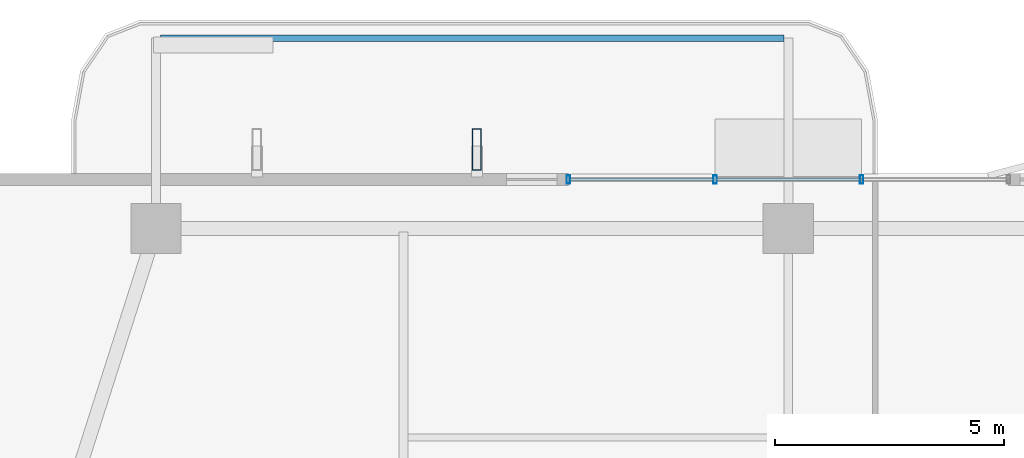
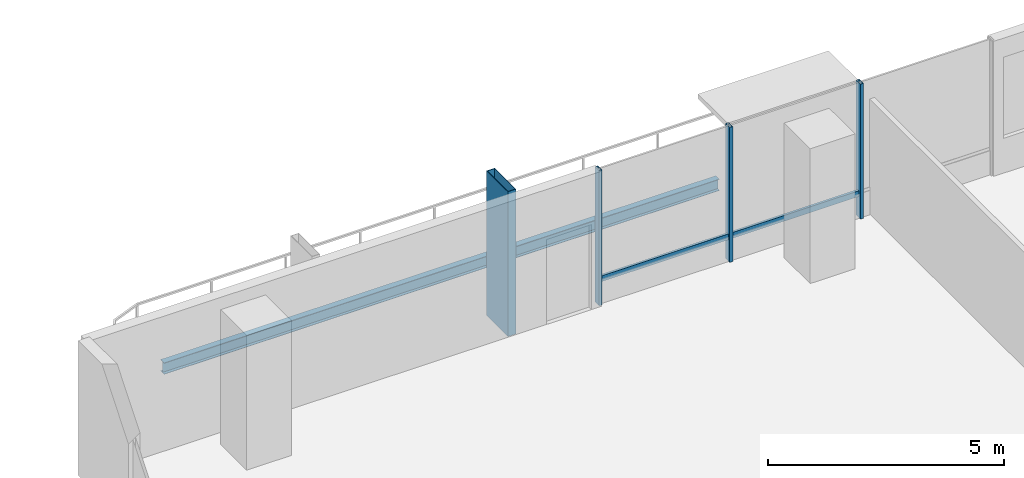
# One storey, part 13 of 25: 6 members, 1 beam, 1 element without a shape of its own.
"""IFC4 building model written with IfcOpenShell, lengths in metres."""

from ifc_helpers import new_model, si_unit, direction, frame, origin, origin_2d, place, context, subcontext, project, spatial, hollow_rectangle, i_section, extrude, material, layer, layer_set, material_profile, profile_set, type_object, element, aggregate, save


model = new_model("IFC4")

# Units and contexts
model_context = context("Model", 3, precision=1e-05, world=origin(), true_north=direction((0.0, 1.0)))
body_context = subcontext(model_context, "Body", "Model", "MODEL_VIEW")
ifc_project = project(units=[si_unit("LENGTHUNIT", "METRE"), si_unit("AREAUNIT", "SQUARE_METRE"), si_unit("VOLUMEUNIT", "CUBIC_METRE"), si_unit("PLANEANGLEUNIT", "RADIAN"), si_unit("MASSUNIT", "GRAM", prefix="KILO")], contexts=[model_context])

# Site, building, storey
site_placement = place(None, origin())
site = spatial("IfcSite", under=ifc_project, at=site_placement, CompositionType="ELEMENT")
building_placement = place(site_placement, origin())
building = spatial("IfcBuilding", under=site, at=building_placement, Name="Belovzor Exchange Tower", CompositionType="ELEMENT")
storey_placement = place(building_placement, frame((0.0, 0.0, 187.050048828125)))
storey = spatial("IfcBuildingStorey", under=building, at=storey_placement, Name="L46", CompositionType="ELEMENT", Elevation=187.050048828125)

# Beam
ifc_material_1 = material(Name="Steel S355", Category="steel")
ifc_material_profile_1 = material_profile(ifc_material_1, i_section(OverallWidth=0.14990234375, OverallDepth=0.300048828125, WebThickness=0.007080078125, FlangeThickness=0.0107421875, at=origin_2d()))
ifc_profile_set_1 = profile_set([ifc_material_profile_1], Name="Steel S355")
beam_type = type_object("IfcBeamType", Name="Planted Balcony Fascia Edge Beam IPE 300", PredefinedType="BEAM", material=ifc_profile_set_1)
beam_placement = place(storey_placement, frame((28.699951171875, 56.052978515625, -0.405029296875), z_axis=(-1.0, 0.0, 0.0), x_axis=(0.0, -1.0, 0.0)))
element("IfcBeam", 1, at=beam_placement, inside=storey, type_object=beam_type, Name="BC-300 Planted Balcony Fascia Edge Beam IPE 300", PredefinedType="BEAM", context=body_context, shape_type="SweptSolid", body=[
    extrude(i_section(OverallWidth=0.14990234375, OverallDepth=0.300048828125, WebThickness=0.007080078125, FlangeThickness=0.0107421875, at=origin_2d()), origin(), (0.0, 0.0, 1.0), 13.599853515625),
])

# Member
ifc_material_2 = material(Name="Extruded Architectural Terracotta on Steel S355 Carrier", Category="masonry")
ifc_material_profile_2 = material_profile(ifc_material_2, hollow_rectangle(XDim=0.199951171875, YDim=0.89990234375, WallThickness=0.011962890625, at=origin_2d()))
ifc_profile_set_2 = profile_set([ifc_material_profile_2], Name="Extruded Architectural Terracotta on Steel S355 Carrier")
member_type_1 = type_object("IfcMemberType", Name="Sweeping Terracotta Baguette Fin Assembly 1250", PredefinedType="USERDEFINED", material=ifc_profile_set_2)
member_1_placement = place(storey_placement, frame((22.0, 53.625, -0.255126953125), z_axis=(0.0, 0.0, 1.0), x_axis=(1.0, 0.0, 0.0)))
element("IfcMember", 2, at=member_1_placement, inside=storey, type_object=member_type_1, Name="FIN-TC125 Terracotta Facade Fin L46 N2", ObjectType="FIN", PredefinedType="USERDEFINED", context=body_context, shape_type="SweptSolid", body=[
    extrude(hollow_rectangle(XDim=0.199951171875, YDim=0.89990234375, WallThickness=0.011962890625, at=origin_2d()), origin(), (0.0, 0.0, 1.0), 3.75),
])

# Curtain wall, members
ifc_material_3 = material(Name="Anodised Aluminium Framing", Category="aluminium")
ifc_layer = layer(ifc_material_3, 0.179931640625)
ifc_layer_set = layer_set([ifc_layer], Name="Anodised Aluminium Framing")
curtain_wall_type = type_object("IfcCurtainWallType", Name="Recessed Loggia Low-Iron Triple-Glazed Curtain Wall", PredefinedType="NOTDEFINED", material=ifc_layer_set)
curtain_wall_placement = place(storey_placement, origin())
curtain_wall = element("IfcCurtainWall", 3, at=curtain_wall_placement, inside=storey, type_object=curtain_wall_type, Name="CW3 Recessed Loggia Low-Iron Triple-Glazed Curtain Wall L46", PredefinedType="NOTDEFINED")
ifc_material_4 = material(Name="Steel S355", Category="steel")
ifc_material_profile_3 = material_profile(ifc_material_4, hollow_rectangle(XDim=0.074951171875, YDim=0.179931640625, WallThickness=0.0048828125, at=origin_2d()))
ifc_profile_set_3 = profile_set([ifc_material_profile_3], Name="Steel S355")
member_type_2 = type_object("IfcMemberType", Name="Thermally Broken Curtain Wall Mullion 180x75", PredefinedType="MULLION", material=ifc_profile_set_3)
member_2_placement = place(storey_placement, frame((24.0, 52.969970703125, 0.0), z_axis=(0.0, 0.0, 1.0), x_axis=(1.0, 0.0, 0.0)))
member_2 = element("IfcMember", 4, at=member_2_placement, type_object=member_type_2, Name="CW-M180 Curtain Wall Mullion 1", PredefinedType="MULLION", context=body_context, shape_type="SweptSolid", body=[
    extrude(hollow_rectangle(XDim=0.074951171875, YDim=0.179931640625, WallThickness=0.0048828125, at=origin_2d()), origin(), (0.0, 0.0, 1.0), 3.494873046875),
])
member_3_placement = place(storey_placement, frame((27.199951171875, 52.969970703125, 0.0), z_axis=(0.0, 0.0, 1.0), x_axis=(1.0, 0.0, 0.0)))
member_3 = element("IfcMember", 5, at=member_3_placement, type_object=member_type_2, Name="CW-M180 Curtain Wall Mullion 2", PredefinedType="MULLION", context=body_context, shape_type="SweptSolid", body=[
    extrude(hollow_rectangle(XDim=0.074951171875, YDim=0.179931640625, WallThickness=0.0048828125, at=origin_2d()), origin(), (0.0, 0.0, 1.0), 3.494873046875),
])
member_4_placement = place(storey_placement, frame((30.39990234375, 52.969970703125, 0.0), z_axis=(0.0, 0.0, 1.0), x_axis=(1.0, 0.0, 0.0)))
member_4 = element("IfcMember", 6, at=member_4_placement, type_object=member_type_2, Name="CW-M180 Curtain Wall Mullion 3", PredefinedType="MULLION", context=body_context, shape_type="SweptSolid", body=[
    extrude(hollow_rectangle(XDim=0.074951171875, YDim=0.179931640625, WallThickness=0.0048828125, at=origin_2d()), origin(), (0.0, 0.0, 1.0), 3.494873046875),
])
ifc_material_5 = material(Name="Steel S355", Category="steel")
ifc_material_profile_4 = material_profile(ifc_material_5, hollow_rectangle(XDim=0.06005859375, YDim=0.14990234375, WallThickness=0.00390625, at=origin_2d()))
ifc_profile_set_4 = profile_set([ifc_material_profile_4], Name="Steel S355")
member_type_3 = type_object("IfcMemberType", Name="Thermally Broken Curtain Wall Transom 150x60", PredefinedType="USERDEFINED", material=ifc_profile_set_4)
member_5_placement = place(storey_placement, frame((24.008056640625, 52.969970703125, 0.62890625), z_axis=(1.0, 0.0, 0.0), x_axis=(0.0, 1.0, 0.0)))
member_5 = element("IfcMember", 7, at=member_5_placement, type_object=member_type_3, Name="CW-T150 Curtain Wall Transom 1", ObjectType="TRANSOM", PredefinedType="USERDEFINED", context=body_context, shape_type="SweptSolid", body=[
    extrude(hollow_rectangle(XDim=0.06005859375, YDim=0.14990234375, WallThickness=0.00390625, at=origin_2d()), origin(), (0.0, 0.0, 1.0), 3.183837890625),
])
member_6_placement = place(storey_placement, frame((27.2080078125, 52.969970703125, 0.62890625), z_axis=(1.0, 0.0, 0.0), x_axis=(0.0, 1.0, 0.0)))
member_6 = element("IfcMember", 8, at=member_6_placement, type_object=member_type_3, Name="CW-T150 Curtain Wall Transom 2", ObjectType="TRANSOM", PredefinedType="USERDEFINED", context=body_context, shape_type="SweptSolid", body=[
    extrude(hollow_rectangle(XDim=0.06005859375, YDim=0.14990234375, WallThickness=0.00390625, at=origin_2d()), origin(), (0.0, 0.0, 1.0), 3.18408203125),
])
aggregate(curtain_wall, [member_2, member_3, member_4, member_5, member_6])

save(model, "model.ifc")
